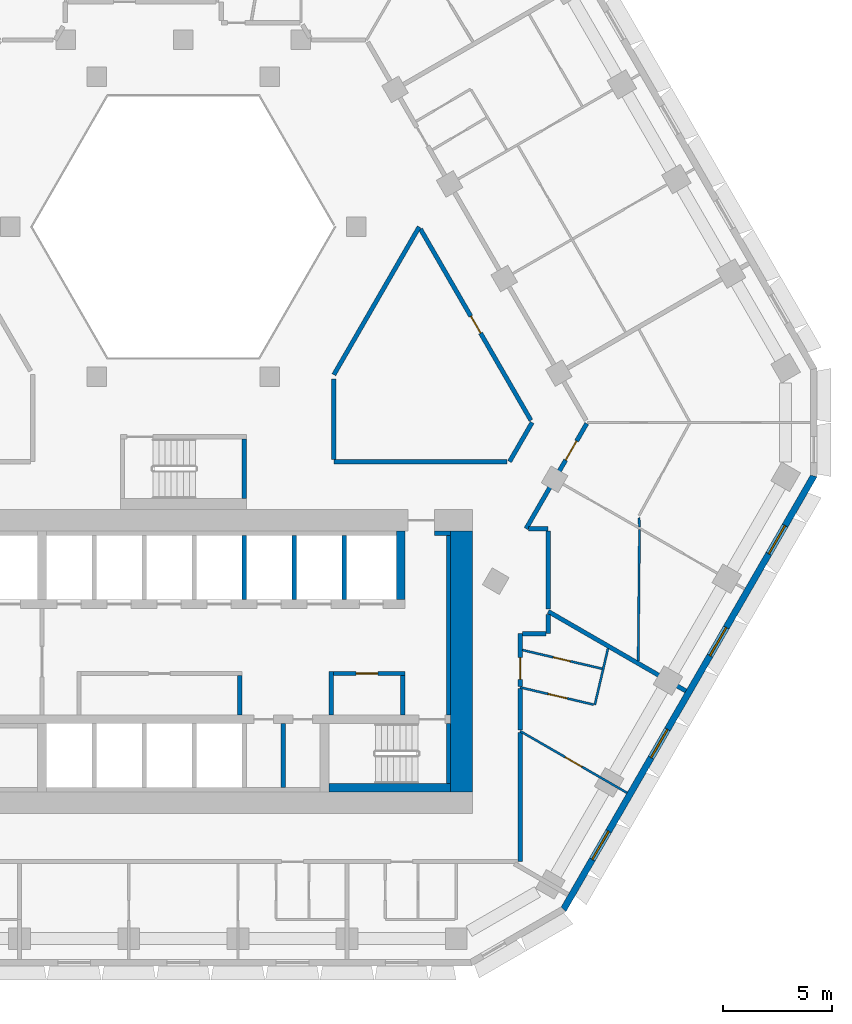
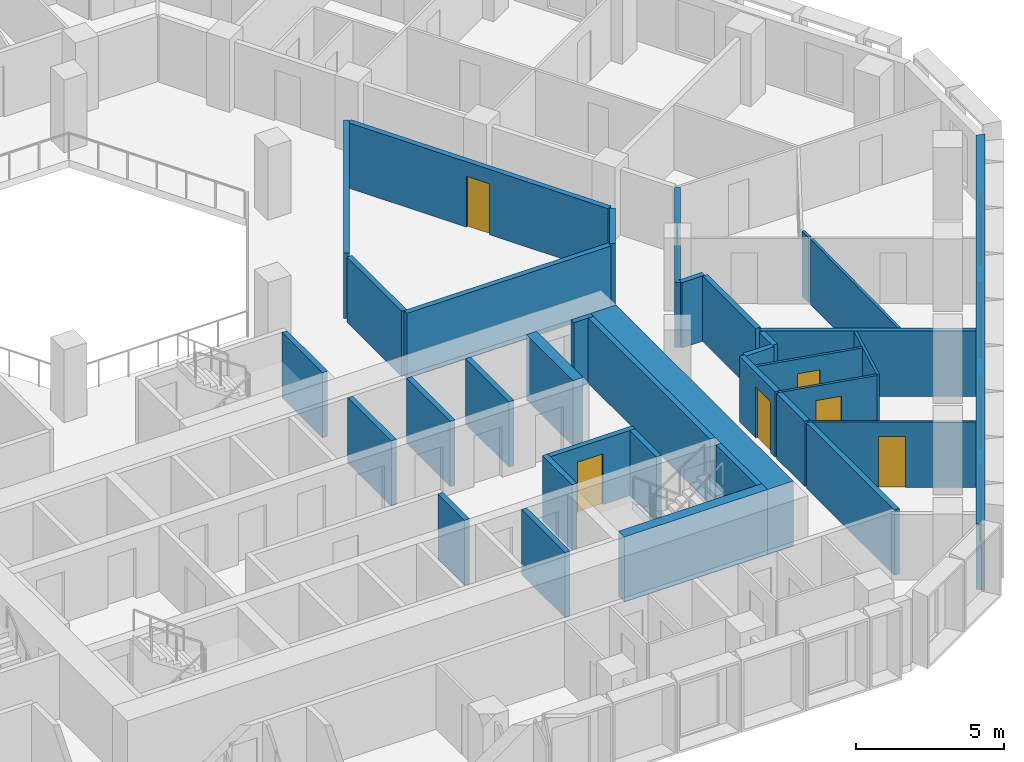
# One storey, part 6 of 15: 36 walls, 7 doors, 4 windows, 11 openings.
"""IFC4 building model written with IfcOpenShell, lengths in metres."""

from ifc_helpers import new_model, si_unit, direction, frame, frame_2d, origin, place, context, subcontext, project, spatial, polyline, rectangle, outline, extrude, material, layer, layer_set, type_object, element, fill, save


model = new_model("IFC4")

# Units and contexts
model_context = context("Model", 3, precision=1e-05, world=origin(), true_north=direction((0.0, 1.0)))
body_context = subcontext(model_context, "Body", "Model", "MODEL_VIEW")
ifc_project = project(units=[si_unit("LENGTHUNIT", "METRE"), si_unit("AREAUNIT", "SQUARE_METRE"), si_unit("VOLUMEUNIT", "CUBIC_METRE"), si_unit("PLANEANGLEUNIT", "RADIAN"), si_unit("MASSUNIT", "GRAM", prefix="KILO")], contexts=[model_context])

# Site, building, storey
site_placement = place(None, origin())
site = spatial("IfcSite", under=ifc_project, at=site_placement, CompositionType="ELEMENT")
building_placement = place(site_placement, origin())
building = spatial("IfcBuilding", under=site, at=building_placement, Name="Beryl Residences", CompositionType="ELEMENT")
storey_placement = place(building_placement, frame((0.0, 0.0, 84.0)))
storey = spatial("IfcBuildingStorey", under=building, at=storey_placement, Name="L25", CompositionType="ELEMENT", Elevation=84.0)

# Wall, openings, windows
ifc_material_1 = material(Name="Composite metal panel with mineral wool insulation")
ifc_layer_1 = layer(ifc_material_1, 0.300048828125)
ifc_layer_set_1 = layer_set([ifc_layer_1], Name="ES1 pale metal composite panel wall 300 mm")
wall_type_1 = type_object("IfcWallType", Name="ES1 pale metal composite panel wall 300 mm", PredefinedType="SOLIDWALL", material=ifc_layer_set_1)
wall_1_placement = place(storey_placement, frame((17.47900390625, -23.425048828125, 0.0), z_axis=(0.0, 0.0, 1.0), x_axis=(0.500035407905, 0.866004960056, 0.0)))
wall_1 = element("IfcWall", 1, at=wall_1_placement, inside=storey, type_object=wall_type_1, Name="ES1 external wall L25 SE", PredefinedType="SOLIDWALL", context=body_context, shape_type="SweptSolid", body=[
    extrude(outline(polyline([(0.0, -0.14990234375), (23.094482421875, -0.14990234375), (23.01416015625, 0.14990234375), (0.080322265625, 0.14990234375), (0.0, -0.14990234375)])), origin(), (0.0, 0.0, 1.0), 2.699951171875),
])
opening_1_placement = place(wall_1_placement, frame((2.677001953125, 0.0, 0.14990234375)))
opening_1 = element("IfcOpeningElement", 2, at=opening_1_placement, cuts=wall_1, Name="Opening W1", PredefinedType="OPENING", context=body_context, shape_type="SweptSolid", body=[
    extrude(rectangle(XDim=1.5, YDim=2.10009765625, at=frame_2d((0.75, 1.050048828125))), frame((0.0, 0.159912109375, 0.0), z_axis=(0.0, -1.0, 0.0), x_axis=(1.0, 0.0, 0.0)), (0.0, 0.0, 1.0), 0.320068359375),
])
opening_2_placement = place(wall_1_placement, frame((8.091064453125, 0.0, 0.14990234375)))
opening_2 = element("IfcOpeningElement", 3, at=opening_2_placement, cuts=wall_1, Name="Opening W1", PredefinedType="OPENING", context=body_context, shape_type="SweptSolid", body=[
    extrude(rectangle(XDim=1.5, YDim=2.10009765625, at=frame_2d((0.75, 1.050048828125))), frame((0.0, 0.159912109375, 0.0), z_axis=(0.0, -1.0, 0.0), x_axis=(1.0, 0.0, 0.0)), (0.0, 0.0, 1.0), 0.320068359375),
])
opening_3_placement = place(wall_1_placement, frame((13.50390625, 0.0, 0.14990234375)))
opening_3 = element("IfcOpeningElement", 4, at=opening_3_placement, cuts=wall_1, Name="Opening W1", PredefinedType="OPENING", context=body_context, shape_type="SweptSolid", body=[
    extrude(rectangle(XDim=1.5, YDim=2.10009765625, at=frame_2d((0.75, 1.050048828125))), frame((0.0, 0.159912109375, 0.0), z_axis=(0.0, -1.0, 0.0), x_axis=(1.0, 0.0, 0.0)), (0.0, 0.0, 1.0), 0.320068359375),
])
opening_4_placement = place(wall_1_placement, frame((18.9169921875, 0.0, 0.14990234375)))
opening_4 = element("IfcOpeningElement", 5, at=opening_4_placement, cuts=wall_1, Name="Opening W1", PredefinedType="OPENING", context=body_context, shape_type="SweptSolid", body=[
    extrude(rectangle(XDim=1.5, YDim=2.10009765625, at=frame_2d((0.75, 1.050048828125))), frame((0.0, 0.159912109375, 0.0), z_axis=(0.0, -1.0, 0.0), x_axis=(1.0, 0.0, 0.0)), (0.0, 0.0, 1.0), 0.320068359375),
])
ifc_material_2 = material(Name="Aluminium and clear glass", Category="aluminium")
window_type = type_object("IfcWindowType", Name="W1 cell window 1500 x 2100 mm", PartitioningType="SINGLE_PANEL", PredefinedType="WINDOW", material=ifc_material_2)
window_1_placement = place(opening_1_placement, origin())
window_1 = element("IfcWindow", 6, at=window_1_placement, inside=storey, type_object=window_type, Name="W1 window L25 SE 2", OverallHeight=2.10009765625, OverallWidth=1.5, PartitioningType="SINGLE_PANEL", PredefinedType="WINDOW", context=body_context, shape_type="SweptSolid", body=[
    extrude(rectangle(XDim=1.5, YDim=2.10009765625, at=frame_2d((0.75, 1.050048828125))), frame((0.0, 0.030029296875, 0.0), z_axis=(0.0, -1.0, 0.0), x_axis=(1.0, 0.0, 0.0)), (0.0, 0.0, 1.0), 0.06005859375),
])
fill(opening_1, window_1)
window_2_placement = place(opening_2_placement, origin())
window_2 = element("IfcWindow", 7, at=window_2_placement, inside=storey, type_object=window_type, Name="W1 window L25 SE 4", OverallHeight=2.10009765625, OverallWidth=1.5, PartitioningType="SINGLE_PANEL", PredefinedType="WINDOW", context=body_context, shape_type="SweptSolid", body=[
    extrude(rectangle(XDim=1.5, YDim=2.10009765625, at=frame_2d((0.75, 1.050048828125))), frame((0.0, 0.030029296875, 0.0), z_axis=(0.0, -1.0, 0.0), x_axis=(1.0, 0.0, 0.0)), (0.0, 0.0, 1.0), 0.06005859375),
])
fill(opening_2, window_2)
window_3_placement = place(opening_3_placement, origin())
window_3 = element("IfcWindow", 8, at=window_3_placement, inside=storey, type_object=window_type, Name="W1 window L25 SE 6", OverallHeight=2.10009765625, OverallWidth=1.5, PartitioningType="SINGLE_PANEL", PredefinedType="WINDOW", context=body_context, shape_type="SweptSolid", body=[
    extrude(rectangle(XDim=1.5, YDim=2.10009765625, at=frame_2d((0.75, 1.050048828125))), frame((0.0, 0.030029296875, 0.0), z_axis=(0.0, -1.0, 0.0), x_axis=(1.0, 0.0, 0.0)), (0.0, 0.0, 1.0), 0.06005859375),
])
fill(opening_3, window_3)
window_4_placement = place(opening_4_placement, origin())
window_4 = element("IfcWindow", 9, at=window_4_placement, inside=storey, type_object=window_type, Name="W1 window L25 SE 8", OverallHeight=2.10009765625, OverallWidth=1.5, PartitioningType="SINGLE_PANEL", PredefinedType="WINDOW", context=body_context, shape_type="SweptSolid", body=[
    extrude(rectangle(XDim=1.5, YDim=2.10009765625, at=frame_2d((0.75, 1.050048828125))), frame((0.0, 0.030029296875, 0.0), z_axis=(0.0, -1.0, 0.0), x_axis=(1.0, 0.0, 0.0)), (0.0, 0.0, 1.0), 0.06005859375),
])
fill(opening_4, window_4)

# Wall
ifc_material_3 = material(Name="Gypsum board partition on steel studs", Category="steel")
ifc_layer_2 = layer(ifc_material_3, 0.10009765625)
ifc_layer_set_2 = layer_set([ifc_layer_2], Name="PT1 partition 100 mm gypsum board on steel studs")
wall_type_2 = type_object("IfcWallType", Name="PT1 partition 100 mm gypsum board on steel studs", PredefinedType="PARTITIONING", material=ifc_layer_set_2)
wall_2_placement = place(storey_placement, frame((20.969970703125, -5.382080078125, 0.0), z_axis=(0.0, 0.0, 1.0), x_axis=(0.042272072097, -0.999106136464, 0.0)))
element("IfcWall", 10, at=wall_2_placement, inside=storey, type_object=wall_type_2, Name="Wall PT1 L25 010", PredefinedType="PARTITIONING", context=body_context, shape_type="SweptSolid", body=[
    extrude(rectangle(XDim=0.427490234375, YDim=0.10009765625, at=frame_2d((0.2138671875, 0.0))), origin(), (0.0, 0.0, 1.0), 2.699951171875),
])

# Wall, opening, door
wall_3_placement = place(storey_placement, frame((15.60009765625, -11.468017578125, 0.0), z_axis=(0.0, 0.0, 1.0), x_axis=(0.973574036597, -0.228371616592, 0.0)))
wall_3 = element("IfcWall", 11, at=wall_3_placement, inside=storey, type_object=wall_type_2, Name="Wall PT1 L25 014", PredefinedType="PARTITIONING", context=body_context, shape_type="SweptSolid", body=[
    extrude(rectangle(XDim=3.7705078125, YDim=0.10009765625, at=frame_2d((1.88525390625, 0.0))), origin(), (0.0, 0.0, 1.0), 2.699951171875),
])
opening_5_placement = place(wall_3_placement, frame((1.458984375, 0.0, 0.0)))
opening_5 = element("IfcOpeningElement", 12, at=opening_5_placement, cuts=wall_3, Name="Opening D0860", PredefinedType="OPENING", context=body_context, shape_type="SweptSolid", body=[
    extrude(rectangle(XDim=0.800048828125, YDim=2.10009765625, at=frame_2d((0.39990234375, 1.050048828125))), frame((0.0, 0.06005859375, 0.0), z_axis=(0.0, -1.0, 0.0), x_axis=(1.0, 0.0, 0.0)), (0.0, 0.0, 1.0), 0.1201171875),
])
ifc_material_4 = material(Name="Timber door leaf", Category="wood")
door_type_1 = type_object("IfcDoorType", Name="D3 bathroom door 800 x 2100 mm", OperationType="SINGLE_SWING_LEFT", PredefinedType="DOOR", material=ifc_material_4)
door_1_placement = place(opening_5_placement, origin())
door_1 = element("IfcDoor", 13, at=door_1_placement, inside=storey, type_object=door_type_1, Name="Door D0860 L25 001", OperationType="SINGLE_SWING_RIGHT", OverallHeight=2.10009765625, OverallWidth=0.800048828125, PredefinedType="DOOR", context=body_context, shape_type="SweptSolid", body=[
    extrude(rectangle(XDim=0.800048828125, YDim=2.10009765625, at=frame_2d((0.39990234375, 1.050048828125))), frame((0.0, 0.02490234375, 0.0), z_axis=(0.0, -1.0, 0.0), x_axis=(1.0, 0.0, 0.0)), (0.0, 0.0, 1.0), 0.050048828125),
])
fill(opening_5, door_1)

wall_4_placement = place(storey_placement, frame((15.5, -13.18701171875, 0.0), z_axis=(0.0, 0.0, 1.0), x_axis=(0.973612163993, -0.228209014119, 0.0)))
wall_4 = element("IfcWall", 14, at=wall_4_placement, inside=storey, type_object=wall_type_2, Name="Wall PT1 L25 015", PredefinedType="PARTITIONING", context=body_context, shape_type="SweptSolid", body=[
    extrude(rectangle(XDim=3.474853515625, YDim=0.10009765625, at=frame_2d((1.7373046875, 0.0))), origin(), (0.0, 0.0, 1.0), 2.699951171875),
])
opening_6_placement = place(wall_4_placement, frame((1.31298828125, 0.0, 0.0)))
opening_6 = element("IfcOpeningElement", 15, at=opening_6_placement, cuts=wall_4, Name="Opening D0861", PredefinedType="OPENING", context=body_context, shape_type="SweptSolid", body=[
    extrude(rectangle(XDim=0.89990234375, YDim=2.10009765625, at=frame_2d((0.449951171875, 1.050048828125))), frame((0.0, 0.06005859375, 0.0), z_axis=(0.0, -1.0, 0.0), x_axis=(1.0, 0.0, 0.0)), (0.0, 0.0, 1.0), 0.1201171875),
])
ifc_material_5 = material(Name="Timber door leaf", Category="wood")
door_type_2 = type_object("IfcDoorType", Name="D2 room door 900 x 2100 mm", OperationType="SINGLE_SWING_LEFT", PredefinedType="DOOR", material=ifc_material_5)
door_2_placement = place(opening_6_placement, origin())
door_2 = element("IfcDoor", 16, at=door_2_placement, inside=storey, type_object=door_type_2, Name="Door D0861 L25 001", OperationType="SINGLE_SWING_LEFT", OverallHeight=2.10009765625, OverallWidth=0.89990234375, PredefinedType="DOOR", context=body_context, shape_type="SweptSolid", body=[
    extrude(rectangle(XDim=0.89990234375, YDim=2.10009765625, at=frame_2d((0.449951171875, 1.050048828125))), frame((0.0, 0.02490234375, 0.0), z_axis=(0.0, -1.0, 0.0), x_axis=(1.0, 0.0, 0.0)), (0.0, 0.0, 1.0), 0.050048828125),
])
fill(opening_6, door_2)

wall_5_placement = place(storey_placement, frame((15.5, -15.199951171875, 0.0), z_axis=(0.0, 0.0, 1.0), x_axis=(0.866035181374, -0.499983064336, 0.0)))
wall_5 = element("IfcWall", 17, at=wall_5_placement, inside=storey, type_object=wall_type_2, Name="Wall PT1 L25 020", PredefinedType="PARTITIONING", context=body_context, shape_type="SweptSolid", body=[
    extrude(rectangle(XDim=5.676513671875, YDim=0.10009765625, at=frame_2d((2.83837890625, 0.0))), origin(), (0.0, 0.0, 1.0), 2.699951171875),
])
opening_7_placement = place(wall_5_placement, frame((2.387939453125, 0.0, 0.0)))
opening_7 = element("IfcOpeningElement", 18, at=opening_7_placement, cuts=wall_5, Name="Opening D0862", PredefinedType="OPENING", context=body_context, shape_type="SweptSolid", body=[
    extrude(rectangle(XDim=0.89990234375, YDim=2.10009765625, at=frame_2d((0.449951171875, 1.050048828125))), frame((0.0, 0.06005859375, 0.0), z_axis=(0.0, -1.0, 0.0), x_axis=(1.0, 0.0, 0.0)), (0.0, 0.0, 1.0), 0.1201171875),
])
door_3_placement = place(opening_7_placement, origin())
door_3 = element("IfcDoor", 19, at=door_3_placement, inside=storey, type_object=door_type_2, Name="Door D0862 L25 001", OperationType="SINGLE_SWING_RIGHT", OverallHeight=2.10009765625, OverallWidth=0.89990234375, PredefinedType="DOOR", context=body_context, shape_type="SweptSolid", body=[
    extrude(rectangle(XDim=0.89990234375, YDim=2.10009765625, at=frame_2d((0.449951171875, 1.050048828125))), frame((0.0, 0.02490234375, 0.0), z_axis=(0.0, -1.0, 0.0), x_axis=(1.0, 0.0, 0.0)), (0.0, 0.0, 1.0), 0.050048828125),
])
fill(opening_7, door_3)

# Walls
wall_6_placement = place(storey_placement, frame((18.93310546875, -13.990966796875, 0.0), z_axis=(0.0, 0.0, 1.0), x_axis=(0.228170964135, 0.973621081903, 0.0)))
element("IfcWall", 20, at=wall_6_placement, inside=storey, type_object=wall_type_2, Name="Wall PT1 L25 041", PredefinedType="PARTITIONING", context=body_context, shape_type="SweptSolid", body=[
    extrude(rectangle(XDim=2.664306640625, YDim=0.10009765625, at=frame_2d((1.33203125, 0.0))), origin(), (0.0, 0.0, 1.0), 2.699951171875),
])
wall_7_placement = place(storey_placement, frame((20.929931640625, -11.968017578125, 0.0), z_axis=(0.0, 0.0, 1.0), x_axis=(0.009938100012, 0.999950615865, 0.0)))
element("IfcWall", 21, at=wall_7_placement, inside=storey, type_object=wall_type_2, Name="Wall PT1 L25 046", PredefinedType="PARTITIONING", context=body_context, shape_type="SweptSolid", body=[
    extrude(rectangle(XDim=6.043212890625, YDim=0.10009765625, at=frame_2d((3.021484375, 0.0))), origin(), (0.0, 0.0, 1.0), 2.699951171875),
])
ifc_material_6 = material(Name="Concrete masonry", Category="masonry")
ifc_layer_3 = layer(ifc_material_6, 0.199951171875)
ifc_layer_set_3 = layer_set([ifc_layer_3], Name="PT13 lobby wall 200 mm")
wall_type_3 = type_object("IfcWallType", Name="PT13 lobby wall 200 mm", PredefinedType="PARTITIONING", material=ifc_layer_set_3)
wall_8_placement = place(storey_placement, frame((2.60009765625, -14.449951171875, 0.0), z_axis=(0.0, 0.0, 1.0), x_axis=(0.0, 1.0, 0.0)))
element("IfcWall", 22, at=wall_8_placement, inside=storey, type_object=wall_type_3, Name="Lobby wall 22", PredefinedType="PARTITIONING", context=body_context, shape_type="SweptSolid", body=[
    extrude(rectangle(XDim=1.800048828125, YDim=0.199951171875, at=frame_2d((0.89990234375, 0.0))), origin(), (0.0, 0.0, 1.0), 2.699951171875),
])
wall_9_placement = place(storey_placement, frame((6.800048828125, -14.449951171875, 0.0), z_axis=(0.0, 0.0, 1.0), x_axis=(0.0, 1.0, 0.0)))
element("IfcWall", 23, at=wall_9_placement, inside=storey, type_object=wall_type_3, Name="Lobby wall 28", PredefinedType="PARTITIONING", context=body_context, shape_type="SweptSolid", body=[
    extrude(rectangle(XDim=2.0, YDim=0.199951171875, at=frame_2d((1.0, 0.0))), origin(), (0.0, 0.0, 1.0), 2.699951171875),
])

# Wall, opening, door
wall_10_placement = place(storey_placement, frame((6.89990234375, -12.550048828125, 0.0), z_axis=(0.0, 0.0, 1.0), x_axis=(1.0, 0.0, 0.0)))
wall_10 = element("IfcWall", 24, at=wall_10_placement, inside=storey, type_object=wall_type_3, Name="Lobby wall 29", PredefinedType="PARTITIONING", context=body_context, shape_type="SweptSolid", body=[
    extrude(rectangle(XDim=3.300048828125, YDim=0.199951171875, at=frame_2d((1.64990234375, 0.0))), origin(), (0.0, 0.0, 1.0), 2.699951171875),
])
opening_8_placement = place(wall_10_placement, frame((2.050048828125, 0.0, 0.0), z_axis=(0.0, 0.0, 1.0), x_axis=(-1.0, 0.0, 0.0)))
opening_8 = element("IfcOpeningElement", 25, at=opening_8_placement, cuts=wall_10, Name="Opening CD-D-A2", PredefinedType="OPENING", context=body_context, shape_type="SweptSolid", body=[
    extrude(rectangle(XDim=1.0, YDim=2.10009765625, at=frame_2d((0.5, 1.050048828125))), frame((0.0, 0.10986328125, 0.0), z_axis=(0.0, -1.0, 0.0), x_axis=(1.0, 0.0, 0.0)), (0.0, 0.0, 1.0), 0.219970703125),
])
ifc_material_7 = material(Name="Steel door leaf in steel frame", Category="steel")
door_type_3 = type_object("IfcDoorType", Name="D18 service room door 1000 x 2100 mm", OperationType="SINGLE_SWING_LEFT", PredefinedType="DOOR", material=ifc_material_7)
door_4_placement = place(opening_8_placement, origin())
door_4 = element("IfcDoor", 26, at=door_4_placement, inside=storey, type_object=door_type_3, Name="Door CD-D-A2 L25 001", OperationType="SINGLE_SWING_LEFT", OverallHeight=2.10009765625, OverallWidth=1.0, PredefinedType="DOOR", context=body_context, shape_type="SweptSolid", body=[
    extrude(rectangle(XDim=1.0, YDim=2.10009765625, at=frame_2d((0.5, 1.050048828125))), frame((0.0, 0.02490234375, 0.0), z_axis=(0.0, -1.0, 0.0), x_axis=(1.0, 0.0, 0.0)), (0.0, 0.0, 1.0), 0.050048828125),
])
fill(opening_8, door_4)

# Walls
wall_11_placement = place(storey_placement, frame((10.10009765625, -14.449951171875, 0.0), z_axis=(0.0, 0.0, 1.0), x_axis=(0.0, 1.0, 0.0)))
element("IfcWall", 27, at=wall_11_placement, inside=storey, type_object=wall_type_3, Name="Lobby wall 31", PredefinedType="PARTITIONING", context=body_context, shape_type="SweptSolid", body=[
    extrude(rectangle(XDim=1.800048828125, YDim=0.199951171875, at=frame_2d((0.89990234375, 0.0))), origin(), (0.0, 0.0, 1.0), 2.699951171875),
])
wall_12_placement = place(storey_placement, frame((11.550048828125, -6.10009765625, 0.0), z_axis=(0.0, 0.0, 1.0), x_axis=(1.0, 0.0, 0.0)))
element("IfcWall", 28, at=wall_12_placement, inside=storey, type_object=wall_type_3, Name="Lobby wall 32", PredefinedType="PARTITIONING", context=body_context, shape_type="SweptSolid", body=[
    extrude(rectangle(XDim=0.75, YDim=0.199951171875, at=frame_2d((0.375, 0.0))), origin(), (0.0, 0.0, 1.0), 2.699951171875),
])
wall_13_placement = place(storey_placement, frame((12.199951171875, -14.449951171875, 0.0), z_axis=(0.0, 0.0, 1.0), x_axis=(0.0, 1.0, 0.0)))
element("IfcWall", 29, at=wall_13_placement, inside=storey, type_object=wall_type_3, Name="Lobby wall 34", PredefinedType="PARTITIONING", context=body_context, shape_type="SweptSolid", body=[
    extrude(rectangle(XDim=8.25, YDim=0.199951171875, at=frame_2d((4.125, 0.0))), origin(), (0.0, 0.0, 1.0), 2.699951171875),
])
ifc_material_8 = material(Name="Acoustic double stud gypsum board wall")
ifc_layer_4 = layer(ifc_material_8, 0.199951171875)
ifc_layer_set_4 = layer_set([ifc_layer_4], Name="PT3 party wall 200 mm acoustic double stud")
wall_type_4 = type_object("IfcWallType", Name="PT3 party wall 200 mm acoustic double stud", PredefinedType="PARTITIONING", material=ifc_layer_set_4)
wall_14_placement = place(storey_placement, frame((16.7919921875, -9.695068359375, 0.0), z_axis=(0.0, 0.0, 1.0), x_axis=(0.86603765469, -0.499978780208, 0.0)))
element("IfcWall", 30, at=wall_14_placement, inside=storey, type_object=wall_type_4, Name="Wall PT3 L25 006", PredefinedType="PARTITIONING", context=body_context, shape_type="SweptSolid", body=[
    extrude(rectangle(XDim=7.310302734375, YDim=0.199951171875, at=frame_2d((3.6552734375, 0.0))), origin(), (0.0, 0.0, 1.0), 2.699951171875),
])

# Wall, opening, door
ifc_material_9 = material(Name="Double stud gypsum board wall")
ifc_layer_5 = layer(ifc_material_9, 0.199951171875)
ifc_layer_set_5 = layer_set([ifc_layer_5], Name="PT4 corridor wall 200 mm double stud")
wall_type_5 = type_object("IfcWallType", Name="PT4 corridor wall 200 mm double stud", PredefinedType="PARTITIONING", material=ifc_layer_set_5)
wall_15_placement = place(storey_placement, frame((10.9130859375, 7.89892578125, 0.0), z_axis=(0.0, 0.0, 1.0), x_axis=(0.500028940566, -0.866008694296, 0.0)))
wall_15 = element("IfcWall", 31, at=wall_15_placement, inside=storey, type_object=wall_type_5, Name="Wall PT4 L25 005", PredefinedType="PARTITIONING", context=body_context, shape_type="SweptSolid", body=[
    extrude(rectangle(XDim=10.1591796875, YDim=0.199951171875, at=frame_2d((5.07958984375, 0.0))), origin(), (0.0, 0.0, 1.0), 2.699951171875),
])
opening_9_placement = place(wall_15_placement, frame((4.6298828125, 0.0, 0.0)))
opening_9 = element("IfcOpeningElement", 32, at=opening_9_placement, cuts=wall_15, Name="Opening D0864", PredefinedType="OPENING", context=body_context, shape_type="SweptSolid", body=[
    extrude(rectangle(XDim=0.89990234375, YDim=2.10009765625, at=frame_2d((0.449951171875, 1.050048828125))), frame((0.0, 0.10986328125, 0.0), z_axis=(0.0, -1.0, 0.0), x_axis=(1.0, 0.0, 0.0)), (0.0, 0.0, 1.0), 0.219970703125),
])
door_5_placement = place(opening_9_placement, origin())
door_5 = element("IfcDoor", 33, at=door_5_placement, inside=storey, type_object=door_type_2, Name="Door D0864 L25 001", OperationType="SINGLE_SWING_RIGHT", OverallHeight=2.10009765625, OverallWidth=0.89990234375, PredefinedType="DOOR", context=body_context, shape_type="SweptSolid", body=[
    extrude(rectangle(XDim=0.89990234375, YDim=2.10009765625, at=frame_2d((0.449951171875, 1.050048828125))), frame((0.0, 0.02490234375, 0.0), z_axis=(0.0, -1.0, 0.0), x_axis=(1.0, 0.0, 0.0)), (0.0, 0.0, 1.0), 0.050048828125),
])
fill(opening_9, door_5)

# Walls
wall_16_placement = place(storey_placement, frame((6.927978515625, 1.0, 0.0), z_axis=(0.0, 0.0, 1.0), x_axis=(0.0, -1.0, 0.0)))
element("IfcWall", 34, at=wall_16_placement, inside=storey, type_object=wall_type_5, Name="Wall PT4 L25 009", PredefinedType="PARTITIONING", context=body_context, shape_type="SweptSolid", body=[
    extrude(rectangle(XDim=3.698974609375, YDim=0.199951171875, at=frame_2d((1.849609375, 0.0))), origin(), (0.0, 0.0, 1.0), 2.699951171875),
])
wall_17_placement = place(storey_placement, frame((15.5, -13.239013671875, 0.0), z_axis=(0.0, 0.0, 1.0), x_axis=(0.0, -1.0, 0.0)))
element("IfcWall", 35, at=wall_17_placement, inside=storey, type_object=wall_type_5, Name="Wall PT4 L25 010", PredefinedType="PARTITIONING", context=body_context, shape_type="SweptSolid", body=[
    extrude(rectangle(XDim=1.903076171875, YDim=0.199951171875, at=frame_2d((0.95166015625, 0.0))), origin(), (0.0, 0.0, 1.0), 2.699951171875),
])
wall_18_placement = place(storey_placement, frame((16.791015625, -5.985107421875, 0.0), z_axis=(0.0, 0.0, 1.0), x_axis=(0.0, -1.0, 0.0)))
element("IfcWall", 36, at=wall_18_placement, inside=storey, type_object=wall_type_5, Name="Wall PT4 L25 011", PredefinedType="PARTITIONING", context=body_context, shape_type="SweptSolid", body=[
    extrude(rectangle(XDim=3.5927734375, YDim=0.199951171875, at=frame_2d((1.79638671875, 0.0))), origin(), (0.0, 0.0, 1.0), 2.699951171875),
])
wall_19_placement = place(storey_placement, frame((15.886962890625, -5.885009765625, 0.0), z_axis=(0.0, 0.0, 1.0), x_axis=(1.0, 0.0, 0.0)))
element("IfcWall", 37, at=wall_19_placement, inside=storey, type_object=wall_type_5, Name="Wall PT4 L25 013", PredefinedType="PARTITIONING", context=body_context, shape_type="SweptSolid", body=[
    extrude(rectangle(XDim=0.904052734375, YDim=0.199951171875, at=frame_2d((0.4521484375, 0.0))), origin(), (0.0, 0.0, 1.0), 2.699951171875),
])
wall_20_placement = place(storey_placement, frame((15.60107421875, -10.715087890625, 0.0), z_axis=(0.0, 0.0, 1.0), x_axis=(1.0, 0.0, 0.0)))
element("IfcWall", 38, at=wall_20_placement, inside=storey, type_object=wall_type_5, Name="Wall PT4 L25 015", PredefinedType="PARTITIONING", context=body_context, shape_type="SweptSolid", body=[
    extrude(rectangle(XDim=1.08984375, YDim=0.199951171875, at=frame_2d((0.544921875, 0.0))), origin(), (0.0, 0.0, 1.0), 2.699951171875),
])
wall_21_placement = place(storey_placement, frame((6.928955078125, -2.800048828125, 0.0), z_axis=(0.0, 0.0, 1.0), x_axis=(1.0, 0.0, 0.0)))
element("IfcWall", 39, at=wall_21_placement, inside=storey, type_object=wall_type_5, Name="Wall PT4 L25 019", PredefinedType="PARTITIONING", context=body_context, shape_type="SweptSolid", body=[
    extrude(rectangle(XDim=7.966064453125, YDim=0.199951171875, at=frame_2d((3.98291015625, 0.0))), origin(), (0.0, 0.0, 1.0), 2.699951171875),
])
wall_22_placement = place(storey_placement, frame((6.927978515625, 1.199951171875, 0.0), z_axis=(0.0, 0.0, 1.0), x_axis=(0.500055327065, 0.865993458332, 0.0)))
element("IfcWall", 40, at=wall_22_placement, inside=storey, type_object=wall_type_5, Name="Wall PT4 L25 024", PredefinedType="PARTITIONING", context=body_context, shape_type="SweptSolid", body=[
    extrude(rectangle(XDim=7.85107421875, YDim=0.199951171875, at=frame_2d((3.925537109375, 0.0))), origin(), (0.0, 0.0, 1.0), 2.699951171875),
])
wall_23_placement = place(storey_placement, frame((15.010986328125, -2.800048828125, 0.0), z_axis=(0.0, 0.0, 1.0), x_axis=(0.499929208183, 0.866066271601, 0.0)))
element("IfcWall", 41, at=wall_23_placement, inside=storey, type_object=wall_type_5, Name="Wall PT4 L25 025", PredefinedType="PARTITIONING", context=body_context, shape_type="SweptSolid", body=[
    extrude(rectangle(XDim=2.078369140625, YDim=0.199951171875, at=frame_2d((1.0390625, 0.0))), origin(), (0.0, 0.0, 1.0), 2.699951171875),
])

# Wall, opening, door
wall_24_placement = place(storey_placement, frame((15.77099609375, -5.884033203125, 0.0), z_axis=(0.0, 0.0, 1.0), x_axis=(0.499939494019, 0.866060334111, 0.0)))
wall_24 = element("IfcWall", 42, at=wall_24_placement, inside=storey, type_object=wall_type_5, Name="Wall PT4 L25 026", PredefinedType="PARTITIONING", context=body_context, shape_type="SweptSolid", body=[
    extrude(rectangle(XDim=5.582763671875, YDim=0.199951171875, at=frame_2d((2.79150390625, 0.0))), origin(), (0.0, 0.0, 1.0), 2.699951171875),
])
opening_10_placement = place(wall_24_placement, frame((3.64697265625, 0.0, 0.0)))
opening_10 = element("IfcOpeningElement", 43, at=opening_10_placement, cuts=wall_24, Name="Opening D0801", PredefinedType="OPENING", context=body_context, shape_type="SweptSolid", body=[
    extrude(rectangle(XDim=1.0, YDim=2.10009765625, at=frame_2d((0.5, 1.050048828125))), frame((0.0, 0.10986328125, 0.0), z_axis=(0.0, -1.0, 0.0), x_axis=(1.0, 0.0, 0.0)), (0.0, 0.0, 1.0), 0.219970703125),
])
ifc_material_10 = material(Name="Timber door leaf", Category="wood")
door_type_4 = type_object("IfcDoorType", Name="D1 flat entrance door 1000 x 2100 mm", OperationType="SINGLE_SWING_LEFT", PredefinedType="DOOR", material=ifc_material_10)
door_6_placement = place(opening_10_placement, origin())
door_6 = element("IfcDoor", 44, at=door_6_placement, inside=storey, type_object=door_type_4, Name="Door D0801 L25 001", OperationType="SINGLE_SWING_LEFT", OverallHeight=2.10009765625, OverallWidth=1.0, PredefinedType="DOOR", context=body_context, shape_type="SweptSolid", body=[
    extrude(rectangle(XDim=1.0, YDim=2.10009765625, at=frame_2d((0.5, 1.050048828125))), frame((0.0, 0.02490234375, 0.0), z_axis=(0.0, -1.0, 0.0), x_axis=(1.0, 0.0, 0.0)), (0.0, 0.0, 1.0), 0.050048828125),
])
fill(opening_10, door_6)

# Wall
wall_25_placement = place(storey_placement, frame((15.5, -21.198974609375, 0.0), z_axis=(0.0, 0.0, 1.0), x_axis=(0.0, 1.0, 0.0)))
element("IfcWall", 45, at=wall_25_placement, inside=storey, type_object=wall_type_5, Name="Wall PT4 L25 030", PredefinedType="PARTITIONING", context=body_context, shape_type="SweptSolid", body=[
    extrude(rectangle(XDim=5.94189453125, YDim=0.199951171875, at=frame_2d((2.970947265625, 0.0))), origin(), (0.0, 0.0, 1.0), 2.699951171875),
])

# Wall, opening, door
wall_26_placement = place(storey_placement, frame((15.5, -13.135986328125, 0.0), z_axis=(0.0, 0.0, 1.0), x_axis=(0.0, 1.0, 0.0)))
wall_26 = element("IfcWall", 46, at=wall_26_placement, inside=storey, type_object=wall_type_5, Name="Wall PT4 L25 031", PredefinedType="PARTITIONING", context=body_context, shape_type="SweptSolid", body=[
    extrude(rectangle(XDim=2.419921875, YDim=0.199951171875, at=frame_2d((1.2099609375, 0.0))), origin(), (0.0, 0.0, 1.0), 2.699951171875),
])
opening_11_placement = place(wall_26_placement, frame((0.31298828125, 0.0, 0.0)))
opening_11 = element("IfcOpeningElement", 47, at=opening_11_placement, cuts=wall_26, Name="Opening D0859", PredefinedType="OPENING", context=body_context, shape_type="SweptSolid", body=[
    extrude(rectangle(XDim=1.0, YDim=2.10009765625, at=frame_2d((0.5, 1.050048828125))), frame((0.0, 0.10986328125, 0.0), z_axis=(0.0, -1.0, 0.0), x_axis=(1.0, 0.0, 0.0)), (0.0, 0.0, 1.0), 0.219970703125),
])
door_7_placement = place(opening_11_placement, origin())
door_7 = element("IfcDoor", 48, at=door_7_placement, inside=storey, type_object=door_type_4, Name="Door D0859 L25 001", OperationType="SINGLE_SWING_LEFT", OverallHeight=2.10009765625, OverallWidth=1.0, PredefinedType="DOOR", context=body_context, shape_type="SweptSolid", body=[
    extrude(rectangle(XDim=1.0, YDim=2.10009765625, at=frame_2d((0.5, 1.050048828125))), frame((0.0, 0.02490234375, 0.0), z_axis=(0.0, -1.0, 0.0), x_axis=(1.0, 0.0, 0.0)), (0.0, 0.0, 1.0), 0.050048828125),
])
fill(opening_11, door_7)

# Walls
wall_27_placement = place(storey_placement, frame((16.791015625, -10.715087890625, 0.0), z_axis=(0.0, 0.0, 1.0), x_axis=(0.0, 1.0, 0.0)))
element("IfcWall", 49, at=wall_27_placement, inside=storey, type_object=wall_type_5, Name="Wall PT4 L25 032", PredefinedType="PARTITIONING", context=body_context, shape_type="SweptSolid", body=[
    extrude(rectangle(XDim=0.885009765625, YDim=0.199951171875, at=frame_2d((0.4423828125, 0.0))), origin(), (0.0, 0.0, 1.0), 2.699951171875),
])
ifc_material_11 = material(Name="Concrete C40/50", Category="concrete")
ifc_layer_6 = layer(ifc_material_11, 0.199951171875)
ifc_layer_set_6 = layer_set([ifc_layer_6], Name="PT5 stair enclosure wall 200 mm reinforced concrete C40/50")
wall_type_6 = type_object("IfcWallType", Name="PT5 stair enclosure wall 200 mm reinforced concrete C40/50", PredefinedType="SOLIDWALL", material=ifc_layer_set_6)
for number, where, z_axis, x_axis, name in (
    (50, (2.800048828125, -4.5, 0.0), (0.0, 0.0, 1.0), (0.0, 1.0, 0.0), "Wall PT5 L25 003"),
    (51, (12.199951171875, -17.60009765625, 0.0), (0.0, 0.0, 1.0), (0.0, 1.0, 0.0), "Stair wall 33"),
):
    element("IfcWall", number, at=place(storey_placement, frame(where, z_axis=z_axis, x_axis=x_axis)), inside=storey, type_object=wall_type_6, Name=name, PredefinedType="SOLIDWALL", context=body_context, shape_type="SweptSolid", body=[
        extrude(rectangle(XDim=2.75, YDim=0.199951171875, at=frame_2d((1.375, 0.0))), origin(), (0.0, 0.0, 1.0), 2.699951171875),
    ])
ifc_material_12 = material(Name="Concrete C40/50", Category="concrete")
ifc_layer_7 = layer(ifc_material_12, 0.39990234375)
ifc_layer_set_7 = layer_set([ifc_layer_7], Name="PT5-400 stair enclosure wall 400 mm")
wall_type_7 = type_object("IfcWallType", Name="PT5-400 stair enclosure wall 400 mm", PredefinedType="SOLIDWALL", material=ifc_layer_set_7)
wall_28_placement = place(storey_placement, frame((6.699951171875, -17.800048828125, 0.0), z_axis=(0.0, 0.0, 1.0), x_axis=(1.0, 0.0, 0.0)))
element("IfcWall", 52, at=wall_28_placement, inside=storey, type_object=wall_type_7, Name="Stair wall 27", PredefinedType="SOLIDWALL", context=body_context, shape_type="SweptSolid", body=[
    extrude(rectangle(XDim=5.60009765625, YDim=0.39990234375, at=frame_2d((2.800048828125, 0.0))), origin(), (0.0, 0.0, 1.0), 2.699951171875),
])
ifc_material_13 = material(Name="Concrete C40/50", Category="concrete")
ifc_layer_8 = layer(ifc_material_13, 0.199951171875)
ifc_layer_set_8 = layer_set([ifc_layer_8], Name="PT6 lift shaft wall 200 mm reinforced concrete C40/50")
wall_type_8 = type_object("IfcWallType", Name="PT6 lift shaft wall 200 mm reinforced concrete C40/50", PredefinedType="SOLIDWALL", material=ifc_layer_set_8)
for number, where, z_axis, x_axis, name in (
    (53, (2.800048828125, -9.14990234375, 0.0), (0.0, 0.0, 1.0), (0.0, 1.0, 0.0), "Lift shaft wall 24"),
    (54, (5.10009765625, -9.14990234375, 0.0), (0.0, 0.0, 1.0), (0.0, 1.0, 0.0), "Lift shaft wall 26"),
    (55, (7.39990234375, -9.14990234375, 0.0), (0.0, 0.0, 1.0), (0.0, 1.0, 0.0), "Lift shaft wall 30"),
):
    element("IfcWall", number, at=place(storey_placement, frame(where, z_axis=z_axis, x_axis=x_axis)), inside=storey, type_object=wall_type_8, Name=name, PredefinedType="SOLIDWALL", context=body_context, shape_type="SweptSolid", body=[
        extrude(rectangle(XDim=2.949951171875, YDim=0.199951171875, at=frame_2d((1.47509765625, 0.0))), origin(), (0.0, 0.0, 1.0), 2.699951171875),
    ])
ifc_material_14 = material(Name="Concrete masonry", Category="masonry")
ifc_layer_9 = layer(ifc_material_14, 0.199951171875)
ifc_layer_set_9 = layer_set([ifc_layer_9], Name="PT8-200 service room wall 200 mm")
wall_type_9 = type_object("IfcWallType", Name="PT8-200 service room wall 200 mm", PredefinedType="PARTITIONING", material=ifc_layer_set_9)
wall_29_placement = place(storey_placement, frame((4.60009765625, -17.800048828125, 0.0), z_axis=(0.0, 0.0, 1.0), x_axis=(0.0, 1.0, 0.0)))
element("IfcWall", 56, at=wall_29_placement, inside=storey, type_object=wall_type_9, Name="Core room wall 25", PredefinedType="PARTITIONING", context=body_context, shape_type="SweptSolid", body=[
    extrude(rectangle(XDim=2.949951171875, YDim=0.199951171875, at=frame_2d((1.47509765625, 0.0))), origin(), (0.0, 0.0, 1.0), 2.699951171875),
])
ifc_material_15 = material(Name="Concrete C70/85", Category="concrete")
ifc_layer_10 = layer(ifc_material_15, 1.0)
ifc_layer_set_10 = layer_set([ifc_layer_10], Name="SW2 core outer wall 1000 mm C70/85")
wall_type_10 = type_object("IfcWallType", Name="SW2 core outer wall 1000 mm C70/85", PredefinedType="SHEAR", material=ifc_layer_set_10)
wall_30_placement = place(storey_placement, frame((12.800048828125, -18.0, 0.0), z_axis=(0.0, 0.0, 1.0), x_axis=(0.0, 1.0, 0.0)))
element("IfcWall", 57, at=wall_30_placement, inside=storey, type_object=wall_type_10, Name="Core wall E L25", PredefinedType="SHEAR", context=body_context, shape_type="SweptSolid", body=[
    extrude(rectangle(XDim=12.0, YDim=1.0, at=frame_2d((6.0, 0.0))), origin(), (0.0, 0.0, 1.0), 2.699951171875),
])
ifc_material_16 = material(Name="Concrete C70/85", Category="concrete")
ifc_layer_11 = layer(ifc_material_16, 0.39990234375)
ifc_layer_set_11 = layer_set([ifc_layer_11], Name="SW7 core internal wall 400 mm C70/85")
wall_type_11 = type_object("IfcWallType", Name="SW7 core internal wall 400 mm C70/85", PredefinedType="SHEAR", material=ifc_layer_set_11)
wall_31_placement = place(storey_placement, frame((10.0, -9.14990234375, 0.0), z_axis=(0.0, 0.0, 1.0), x_axis=(0.0, 1.0, 0.0)))
element("IfcWall", 58, at=wall_31_placement, inside=storey, type_object=wall_type_11, Name="Core wall XN2 L25", PredefinedType="SHEAR", context=body_context, shape_type="SweptSolid", body=[
    extrude(rectangle(XDim=3.14990234375, YDim=0.39990234375, at=frame_2d((1.574951171875, 0.0))), origin(), (0.0, 0.0, 1.0), 2.699951171875),
])

save(model, "model.ifc")
